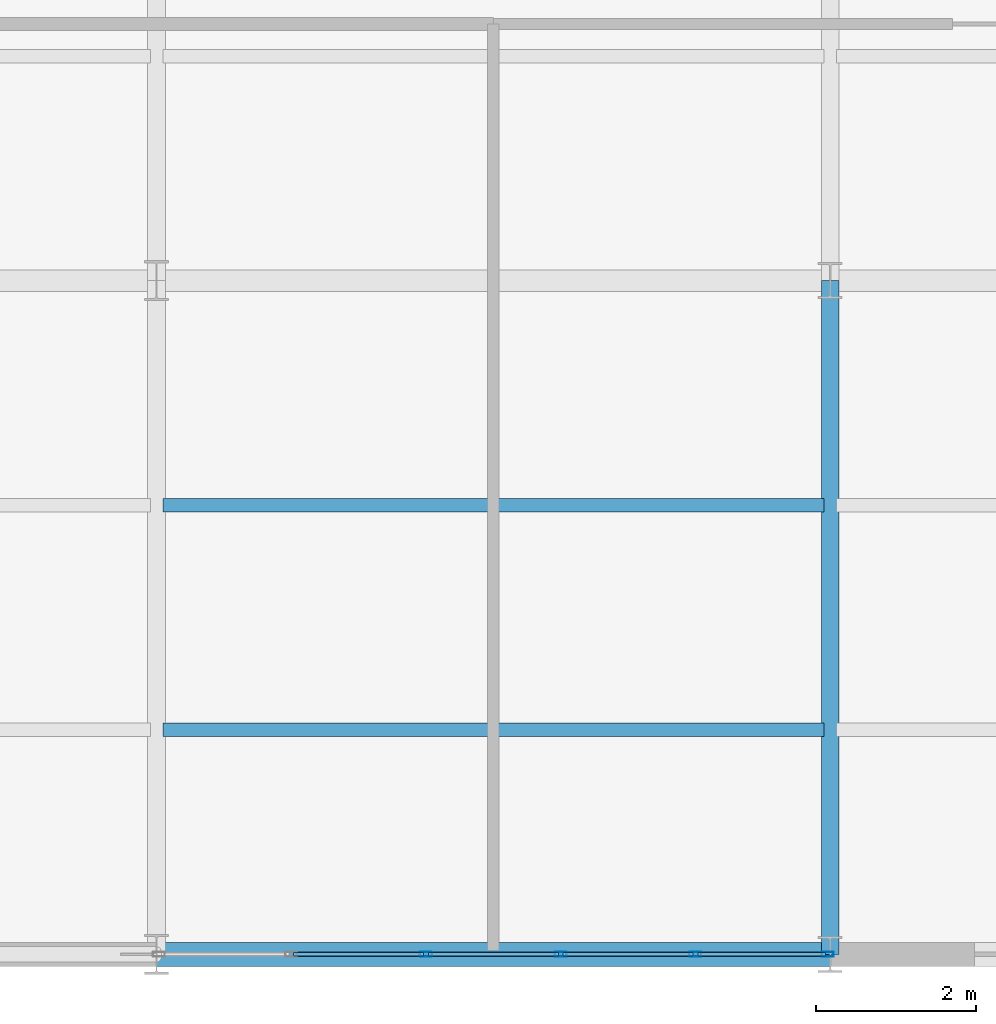
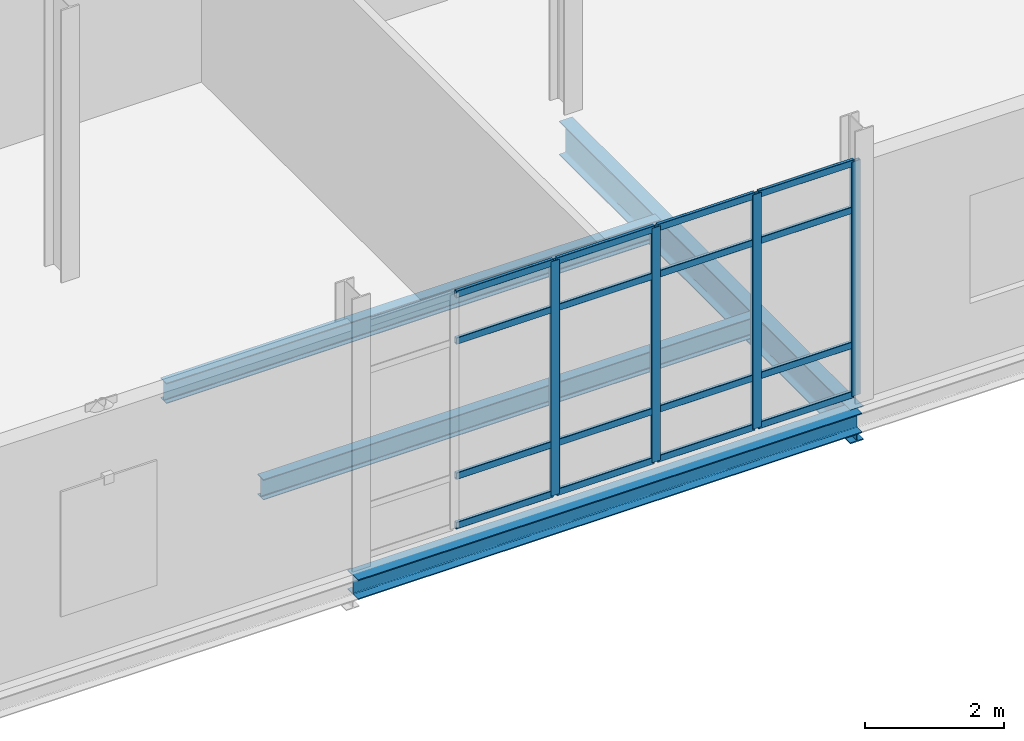
# One storey, part 97 of 145: 20 members, 4 beams, 1 element without a shape of its own.
"""IFC4 building model written with IfcOpenShell, lengths in metres."""

import ifcopenshell
import ifcopenshell.guid

model = None  # the IFC model being written
_history = None  # IfcOwnerHistory: only IFC2X3 demands one
_inside = {}  # id of a spatial element -> (the spatial element, [elements in it])
_under = {}  # id of a project, library or spatial element -> (it, [spatial elements below it])
_declared = {}  # id of a project -> (the project, [libraries it declares])
_typed = {}  # id of a type object -> (the type object, [elements of that type])
_made_of = {}  # id of a material, layer set ... -> (it, [elements and type objects made of it])


def new_model(schema):
    """Start an empty IFC model of exactly this schema.

    Asked for "IFC4X3", IfcOpenShell would pick the latest addendum, in which some entities
    have other attributes; the version numbers below select the first issue.
    IFC2X3 requires an IfcOwnerHistory on every rooted entity: one is made here for all.
    """
    global model, _history
    if schema == "IFC4X3":
        model = ifcopenshell.file(schema_version=(4, 3, 0, 0))
    else:
        model = ifcopenshell.file(schema=schema)
    _inside.clear()
    _under.clear()
    _declared.clear()
    _typed.clear()
    _made_of.clear()
    _history = None
    if model.schema == "IFC2X3":
        org = make("IfcOrganization", Name="unknown")
        user = make(
            "IfcPersonAndOrganization",
            ThePerson=make("IfcPerson", FamilyName="unknown"),
            TheOrganization=org,
        )
        app = make(
            "IfcApplication",
            ApplicationDeveloper=org,
            Version="unknown",
            ApplicationFullName="unknown",
            ApplicationIdentifier="unknown",
        )
        _history = make(
            "IfcOwnerHistory",
            OwningUser=user,
            OwningApplication=app,
            ChangeAction="ADDED",
            CreationDate=0,
        )
    return model


def make(cls, **values):
    """One entity of the class cls with the attributes given. An attribute that is None is left unset."""
    return model.create_entity(
        cls, **{name: value for name, value in values.items() if value is not None}
    )


def rooted(cls, **values):
    """An entity with a GlobalId (a new one), such as an element, a storey or a relation."""
    return make(cls, GlobalId=ifcopenshell.guid.new(), OwnerHistory=_history, **values)


def si_unit(unit_type, name, prefix=None):
    """IfcSIUnit, for example si_unit("LENGTHUNIT", "METRE", prefix="MILLI")."""
    return make("IfcSIUnit", UnitType=unit_type, Prefix=prefix, Name=name)


def assignment(units):
    """IfcUnitAssignment: the units of a project."""
    return None if units is None else make("IfcUnitAssignment", Units=units)


def point(xyz):
    """IfcCartesianPoint."""
    return None if xyz is None else make("IfcCartesianPoint", Coordinates=xyz)


def direction(xyz):
    """IfcDirection."""
    return None if xyz is None else make("IfcDirection", DirectionRatios=xyz)


def frame(location, z_axis=None, x_axis=None):
    """IfcAxis2Placement3D, a coordinate frame: its origin and axes. An axis left out is left unset."""
    return make(
        "IfcAxis2Placement3D",
        Location=point(location),
        Axis=direction(z_axis),
        RefDirection=direction(x_axis),
    )


def frame_2d(location, x_axis=None):
    """IfcAxis2Placement2D, a coordinate frame in the plane: its origin and x axis."""
    return make(
        "IfcAxis2Placement2D", Location=point(location), RefDirection=direction(x_axis)
    )


def origin():
    """The frame at (0, 0, 0) with its axes left unset."""
    return frame((0.0, 0.0, 0.0))


def origin_2d():
    """The frame at (0, 0) in the plane with its x axis left unset."""
    return frame_2d((0.0, 0.0))


def place(relative_to, where):
    """IfcLocalPlacement: puts the frame where relative to a parent placement (None: the world)."""
    return make(
        "IfcLocalPlacement", PlacementRelTo=relative_to, RelativePlacement=where
    )


def context(
    kind, dimensions, precision=None, world=None, true_north=None, identifier=None
):
    """IfcGeometricRepresentationContext, for example the 3D "Model" context."""
    return make(
        "IfcGeometricRepresentationContext",
        ContextIdentifier=identifier,
        ContextType=kind,
        CoordinateSpaceDimension=dimensions,
        Precision=precision,
        WorldCoordinateSystem=world,
        TrueNorth=true_north,
    )


def subcontext(parent, identifier, kind, view, scale=None):
    """IfcGeometricRepresentationSubContext, for example "Body" below "Model"."""
    return make(
        "IfcGeometricRepresentationSubContext",
        ContextIdentifier=identifier,
        ContextType=kind,
        ParentContext=parent,
        TargetScale=scale,
        TargetView=view,
    )


def project(units=None, contexts=None):
    """IfcProject with its units and contexts."""
    return rooted(
        "IfcProject",
        Name="project",
        RepresentationContexts=contexts,
        UnitsInContext=assignment(units),
    )


def spatial(cls, under=None, at=None, **own):
    """A site, building, storey or space (cls), placed at a placement, below another one or the project."""
    s = rooted(cls, ObjectPlacement=at, **own)
    if under is not None:
        _under.setdefault(under.id(), (under, []))[1].append(s)
    return s


def profile(cls, at=None, kind="AREA", **sizes):
    """A parametric profile (cls). Its sizes go by their IFC names, for example OverallWidth=200.0."""
    return make(cls, ProfileType=kind, Position=at, **sizes)


def hollow_rectangle(**sizes):
    """IfcRectangleHollowProfileDef."""
    return profile("IfcRectangleHollowProfileDef", **sizes)


def i_section(**sizes):
    """IfcIShapeProfileDef."""
    return profile("IfcIShapeProfileDef", **sizes)


def extrude(swept, where, along, depth):
    """IfcExtrudedAreaSolid: the profile swept, set in the frame where, extruded along a direction by depth."""
    return make(
        "IfcExtrudedAreaSolid",
        SweptArea=swept,
        Position=where,
        ExtrudedDirection=direction(along),
        Depth=depth,
    )


def shape(context_of_items, identifier, shape_type, items):
    """IfcShapeRepresentation: the items that make up one representation, for example the "Body"."""
    return make(
        "IfcShapeRepresentation",
        ContextOfItems=context_of_items,
        RepresentationIdentifier=identifier,
        RepresentationType=shape_type,
        Items=items,
    )


def material(Name=None, Category=None):
    """IfcMaterial."""
    return make("IfcMaterial", Name=Name, Category=Category)


def layer(
    of_material, thickness, ventilated=None, Name=None, Category=None, Priority=None
):
    """IfcMaterialLayer: one layer of a wall or slab, of a material (None: an air gap)."""
    return make(
        "IfcMaterialLayer",
        Material=of_material,
        LayerThickness=thickness,
        IsVentilated=ventilated,
        Name=Name,
        Category=Category,
        Priority=Priority,
    )


def layer_set(layers, Name=None):
    """IfcMaterialLayerSet."""
    return make("IfcMaterialLayerSet", MaterialLayers=layers, LayerSetName=Name)


def material_profile(
    of_material, cross_section, Name=None, Category=None, Priority=None
):
    """IfcMaterialProfile: a cross section and its material."""
    return make(
        "IfcMaterialProfile",
        Name=Name,
        Material=of_material,
        Profile=cross_section,
        Priority=Priority,
        Category=Category,
    )


def profile_set(profiles, Name=None, composite=None):
    """IfcMaterialProfileSet."""
    return make(
        "IfcMaterialProfileSet",
        Name=Name,
        MaterialProfiles=profiles,
        CompositeProfile=composite,
    )


def made_of(thing, what):
    """Note that an element or type object is made of a material, layer set ...; save() writes the relation."""
    if what is not None:
        _made_of.setdefault(what.id(), (what, []))[1].append(thing)
    return thing


def type_object(cls, material=None, **own):
    """A type object (cls), such as IfcWallType, which elements share."""
    return made_of(rooted(cls, **own), material)


def element(
    cls,
    number,
    at=None,
    inside=None,
    cuts=None,
    type_object=None,
    material=None,
    context=None,
    identifier="Body",
    shape_type=None,
    held_by="IfcProductDefinitionShape",
    body=None,
    shapes=None,
    **own,
):
    """One element of the class cls, such as IfcWall. Its Tag is "e" and its number.

    at: its placement. inside: the storey or other place that contains it. cuts: it is an
    opening in that element (IfcRelVoidsElement). A single representation is given by context,
    identifier, shape_type and body (its items); several are given by shapes. held_by: the class
    of the entity that holds the representations. save() writes the other relations.
    """
    e = rooted(cls, Tag="e%d" % number, ObjectPlacement=at, **own)
    if body is not None:
        shapes = [shape(context, identifier, shape_type, body)]
    if shapes is not None:
        e.Representation = make(held_by, Representations=shapes)
    if inside is not None:
        _inside.setdefault(inside.id(), (inside, []))[1].append(e)
    if cuts is not None:
        rooted(
            "IfcRelVoidsElement", RelatingBuildingElement=cuts, RelatedOpeningElement=e
        )
    if type_object is not None:
        _typed.setdefault(type_object.id(), (type_object, []))[1].append(e)
    return made_of(e, material)


def aggregate(whole, parts):
    """IfcRelAggregates: a whole, such as a stair, and the parts it consists of."""
    return rooted("IfcRelAggregates", RelatingObject=whole, RelatedObjects=parts)


def save(model, path):
    """Write the relations noted so far, then the file.

    IfcRelAggregates (storeys below a building ...), IfcRelContainedInSpatialStructure (elements
    in a storey), IfcRelDefinesByType, IfcRelAssociatesMaterial and IfcRelDeclares: one each for
    every whole, place, type object, material and project.
    """
    for whole, parts in _under.values():
        aggregate(whole, parts)
    for where, things in _inside.values():
        rooted(
            "IfcRelContainedInSpatialStructure",
            RelatedElements=things,
            RelatingStructure=where,
        )
    for kind, things in _typed.values():
        rooted("IfcRelDefinesByType", RelatedObjects=things, RelatingType=kind)
    for what, things in _made_of.values():
        rooted("IfcRelAssociatesMaterial", RelatedObjects=things, RelatingMaterial=what)
    for by, libraries in _declared.values():
        rooted("IfcRelDeclares", RelatingContext=by, RelatedDefinitions=libraries)
    model.write(path)


model = new_model("IFC4")

# Units and contexts
model_context = context("Model", 3, precision=1e-05, world=origin(), true_north=direction((0.0, 1.0)))
body_context = subcontext(model_context, "Body", "Model", "MODEL_VIEW")
ifc_project = project(units=[si_unit("LENGTHUNIT", "METRE"), si_unit("AREAUNIT", "SQUARE_METRE"), si_unit("VOLUMEUNIT", "CUBIC_METRE"), si_unit("PLANEANGLEUNIT", "RADIAN"), si_unit("MASSUNIT", "GRAM", prefix="KILO")], contexts=[model_context])

# Site, building, storey
site_placement = place(None, origin())
site = spatial("IfcSite", under=ifc_project, at=site_placement, CompositionType="ELEMENT")
building_placement = place(site_placement, origin())
building = spatial("IfcBuilding", under=site, at=building_placement, Name="Qalvenar Corner Mobility Hub", CompositionType="ELEMENT")
storey_placement = place(building_placement, origin())
storey = spatial("IfcBuildingStorey", under=building, at=storey_placement, Name="L00", CompositionType="ELEMENT", Elevation=0.0)

# Beams
ifc_material_1 = material(Name="Steel S355", Category="steel")
ifc_material_profile_1 = material_profile(ifc_material_1, i_section(OverallWidth=0.219970703125, OverallDepth=0.60009765625, WebThickness=0.011962890625, FlangeThickness=0.01904296875, FilletRadius=0.02392578125, at=origin_2d()), Name="IPE600")
ifc_profile_set_1 = profile_set([ifc_material_profile_1], Name="Steel S355")
beam_type_1 = type_object("IfcBeamType", Name="BM-IPE600", PredefinedType="BEAM", material=ifc_profile_set_1)
beam_1_placement = place(storey_placement, frame((159.60009765625, 0.0, -0.550048828125), z_axis=(0.0, 1.0, 0.0), x_axis=(-1.0, 0.0, 0.0)))
element("IfcBeam", 1, at=beam_1_placement, inside=storey, type_object=beam_type_1, Name="Primary Steel Girder GY-0329", PredefinedType="BEAM", context=body_context, shape_type="SweptSolid", body=[
    extrude(i_section(OverallWidth=0.219970703125, OverallDepth=0.60009765625, WebThickness=0.011962890625, FlangeThickness=0.01904296875, FilletRadius=0.02392578125, at=origin_2d()), origin(), (0.0, 0.0, 1.0), 8.39990234375),
])
ifc_material_profile_2 = material_profile(ifc_material_1, i_section(OverallWidth=0.169921875, OverallDepth=0.360107421875, WebThickness=0.008056640625, FlangeThickness=0.0126953125, FilletRadius=0.01806640625, at=origin_2d()), Name="IPE360")
ifc_profile_set_2 = profile_set([ifc_material_profile_2], Name="Steel S355")
beam_type_2 = type_object("IfcBeamType", Name="BM-JST360", PredefinedType="JOIST", material=ifc_profile_set_2)
for number, where, z_axis, x_axis, name in (
    (2, (151.278076171875, 2.800048828125, -0.429931640625), (1.0, 0.0, 0.0), (0.0, 1.0, 0.0), "Composite Floor Joist J-0399"),
    (3, (151.278076171875, 5.60009765625, -0.429931640625), (1.0, 0.0, 0.0), (0.0, 1.0, 0.0), "Composite Floor Joist J-0400"),
):
    element("IfcBeam", number, at=place(storey_placement, frame(where, z_axis=z_axis, x_axis=x_axis)), inside=storey, type_object=beam_type_2, Name=name, PredefinedType="JOIST", context=body_context, shape_type="SweptSolid", body=[
        extrude(i_section(OverallWidth=0.169921875, OverallDepth=0.360107421875, WebThickness=0.008056640625, FlangeThickness=0.0126953125, FilletRadius=0.01806640625, at=origin_2d()), origin(), (0.0, 0.0, 1.0), 8.243896484375),
    ])
ifc_material_profile_3 = material_profile(ifc_material_1, i_section(OverallWidth=0.300048828125, OverallDepth=0.35009765625, WebThickness=0.010009765625, FlangeThickness=0.017578125, FilletRadius=0.027099609375, at=origin_2d()), Name="HEA360")
ifc_profile_set_3 = profile_set([ifc_material_profile_3], Name="Steel S355")
beam_type_3 = type_object("IfcBeamType", Name="BM-SPN360", PredefinedType="SPANDREL", material=ifc_profile_set_3)
beam_2_placement = place(storey_placement, frame((151.199951171875, 0.0, -0.425048828125), z_axis=(1.0, 0.0, 0.0), x_axis=(0.0, 1.0, 0.0)))
element("IfcBeam", 4, at=beam_2_placement, inside=storey, type_object=beam_type_3, Name="Primary Steel Girder GX-0253", PredefinedType="SPANDREL", context=body_context, shape_type="SweptSolid", body=[
    extrude(i_section(OverallWidth=0.300048828125, OverallDepth=0.35009765625, WebThickness=0.010009765625, FlangeThickness=0.017578125, FilletRadius=0.027099609375, at=origin_2d()), origin(), (0.0, 0.0, 1.0), 8.400146484375),
])

# Curtain wall, members
ifc_material_2 = material(Name="Anodised Aluminium and Low-E Glazing", Category="aluminium")
ifc_layer = layer(ifc_material_2, 0.14990234375)
ifc_layer_set = layer_set([ifc_layer], Name="Anodised Aluminium and Low-E Glazing")
curtain_wall_type = type_object("IfcCurtainWallType", Name="CW-WKS-84X44", PredefinedType="NOTDEFINED", material=ifc_layer_set)
curtain_wall_placement = place(storey_placement, origin())
curtain_wall = element("IfcCurtainWall", 5, at=curtain_wall_placement, inside=storey, type_object=curtain_wall_type, Name="Glazed Curtain Wall CW-V6-L00-S5", PredefinedType="NOTDEFINED")
ifc_material_3 = material(Name="Anodised Aluminium 6063-T6", Category="aluminium")
ifc_material_profile_4 = material_profile(ifc_material_3, hollow_rectangle(XDim=0.06005859375, YDim=0.14990234375, WallThickness=0.00390625, InnerFilletRadius=0.00390625, OuterFilletRadius=0.008056640625, at=origin_2d()), Name="RHS150x60x4")
ifc_profile_set_4 = profile_set([ifc_material_profile_4], Name="Anodised Aluminium 6063-T6")
member_type_1 = type_object("IfcMemberType", Name="CW-MUL150", PredefinedType="MULLION", material=ifc_profile_set_4)
member_1_placement = place(storey_placement, frame((154.56005859375, 0.0, 0.0), z_axis=(0.0, 0.0, 1.0), x_axis=(0.0, 1.0, 0.0)))
member_1 = element("IfcMember", 6, at=member_1_placement, type_object=member_type_1, Name="CW-09 mullion 3", PredefinedType="MULLION", context=body_context, shape_type="SweptSolid", body=[
    extrude(hollow_rectangle(XDim=0.06005859375, YDim=0.14990234375, WallThickness=0.00390625, InnerFilletRadius=0.00390625, OuterFilletRadius=0.008056640625, at=origin_2d()), origin(), (0.0, 0.0, 1.0), 4.1298828125),
])
member_2_placement = place(storey_placement, frame((156.239990234375, 0.0, 0.0), z_axis=(0.0, 0.0, 1.0), x_axis=(0.0, 1.0, 0.0)))
member_2 = element("IfcMember", 7, at=member_2_placement, type_object=member_type_1, Name="CW-09 mullion 4", PredefinedType="MULLION", context=body_context, shape_type="SweptSolid", body=[
    extrude(hollow_rectangle(XDim=0.06005859375, YDim=0.14990234375, WallThickness=0.00390625, InnerFilletRadius=0.00390625, OuterFilletRadius=0.008056640625, at=origin_2d()), origin(), (0.0, 0.0, 1.0), 4.1298828125),
])
member_3_placement = place(storey_placement, frame((157.919921875, 0.0, 0.0), z_axis=(0.0, 0.0, 1.0), x_axis=(0.0, 1.0, 0.0)))
member_3 = element("IfcMember", 8, at=member_3_placement, type_object=member_type_1, Name="CW-09 mullion 5", PredefinedType="MULLION", context=body_context, shape_type="SweptSolid", body=[
    extrude(hollow_rectangle(XDim=0.06005859375, YDim=0.14990234375, WallThickness=0.00390625, InnerFilletRadius=0.00390625, OuterFilletRadius=0.008056640625, at=origin_2d()), origin(), (0.0, 0.0, 1.0), 4.1298828125),
])
member_4_placement = place(storey_placement, frame((159.570068359375, 0.0, 0.0), z_axis=(0.0, 0.0, 1.0), x_axis=(0.0, 1.0, 0.0)))
member_4 = element("IfcMember", 9, at=member_4_placement, type_object=member_type_1, Name="CW-09 mullion 6", PredefinedType="MULLION", context=body_context, shape_type="SweptSolid", body=[
    extrude(hollow_rectangle(XDim=0.06005859375, YDim=0.14990234375, WallThickness=0.00390625, InnerFilletRadius=0.00390625, OuterFilletRadius=0.008056640625, at=origin_2d()), origin(), (0.0, 0.0, 1.0), 4.1298828125),
])
ifc_material_profile_5 = material_profile(ifc_material_3, hollow_rectangle(XDim=0.054931640625, YDim=0.1201171875, WallThickness=0.00341796875, InnerFilletRadius=0.00341796875, OuterFilletRadius=0.007080078125, at=origin_2d()), Name="RHS120x55x3.5")
ifc_profile_set_5 = profile_set([ifc_material_profile_5], Name="Anodised Aluminium 6063-T6")
member_type_2 = type_object("IfcMemberType", Name="CW-TRN120", PredefinedType="USERDEFINED", material=ifc_profile_set_5)
member_5_placement = place(storey_placement, frame((152.909912109375, 0.0, 0.027587890625), z_axis=(1.0, 0.0, 0.0), x_axis=(0.0, 1.0, 0.0)))
member_5 = element("IfcMember", 10, at=member_5_placement, type_object=member_type_2, Name="CW-09 transom 2.1", ObjectType="TRANSOM", PredefinedType="USERDEFINED", context=body_context, shape_type="SweptSolid", body=[
    extrude(hollow_rectangle(XDim=0.054931640625, YDim=0.1201171875, WallThickness=0.00341796875, InnerFilletRadius=0.00341796875, OuterFilletRadius=0.007080078125, at=origin_2d()), origin(), (0.0, 0.0, 1.0), 1.6201171875),
])
member_6_placement = place(storey_placement, frame((152.909912109375, 0.0, 0.89990234375), z_axis=(1.0, 0.0, 0.0), x_axis=(0.0, 1.0, 0.0)))
member_6 = element("IfcMember", 11, at=member_6_placement, type_object=member_type_2, Name="CW-09 transom 2.2", ObjectType="TRANSOM", PredefinedType="USERDEFINED", context=body_context, shape_type="SweptSolid", body=[
    extrude(hollow_rectangle(XDim=0.054931640625, YDim=0.1201171875, WallThickness=0.00341796875, InnerFilletRadius=0.00341796875, OuterFilletRadius=0.007080078125, at=origin_2d()), origin(), (0.0, 0.0, 1.0), 1.6201171875),
])
member_7_placement = place(storey_placement, frame((152.909912109375, 0.0, 3.280029296875), z_axis=(1.0, 0.0, 0.0), x_axis=(0.0, 1.0, 0.0)))
member_7 = element("IfcMember", 12, at=member_7_placement, type_object=member_type_2, Name="CW-09 transom 2.3", ObjectType="TRANSOM", PredefinedType="USERDEFINED", context=body_context, shape_type="SweptSolid", body=[
    extrude(hollow_rectangle(XDim=0.054931640625, YDim=0.1201171875, WallThickness=0.00341796875, InnerFilletRadius=0.00341796875, OuterFilletRadius=0.007080078125, at=origin_2d()), origin(), (0.0, 0.0, 1.0), 1.6201171875),
])
member_8_placement = place(storey_placement, frame((152.909912109375, 0.0, 4.1025390625), z_axis=(1.0, 0.0, 0.0), x_axis=(0.0, 1.0, 0.0)))
member_8 = element("IfcMember", 13, at=member_8_placement, type_object=member_type_2, Name="CW-09 transom 2.4", ObjectType="TRANSOM", PredefinedType="USERDEFINED", context=body_context, shape_type="SweptSolid", body=[
    extrude(hollow_rectangle(XDim=0.054931640625, YDim=0.1201171875, WallThickness=0.00341796875, InnerFilletRadius=0.00341796875, OuterFilletRadius=0.007080078125, at=origin_2d()), origin(), (0.0, 0.0, 1.0), 1.6201171875),
])
member_9_placement = place(storey_placement, frame((154.590087890625, 0.0, 0.027587890625), z_axis=(1.0, 0.0, 0.0), x_axis=(0.0, 1.0, 0.0)))
member_9 = element("IfcMember", 14, at=member_9_placement, type_object=member_type_2, Name="CW-09 transom 3.1", ObjectType="TRANSOM", PredefinedType="USERDEFINED", context=body_context, shape_type="SweptSolid", body=[
    extrude(hollow_rectangle(XDim=0.054931640625, YDim=0.1201171875, WallThickness=0.00341796875, InnerFilletRadius=0.00341796875, OuterFilletRadius=0.007080078125, at=origin_2d()), origin(), (0.0, 0.0, 1.0), 1.619873046875),
])
member_10_placement = place(storey_placement, frame((154.590087890625, 0.0, 0.89990234375), z_axis=(1.0, 0.0, 0.0), x_axis=(0.0, 1.0, 0.0)))
member_10 = element("IfcMember", 15, at=member_10_placement, type_object=member_type_2, Name="CW-09 transom 3.2", ObjectType="TRANSOM", PredefinedType="USERDEFINED", context=body_context, shape_type="SweptSolid", body=[
    extrude(hollow_rectangle(XDim=0.054931640625, YDim=0.1201171875, WallThickness=0.00341796875, InnerFilletRadius=0.00341796875, OuterFilletRadius=0.007080078125, at=origin_2d()), origin(), (0.0, 0.0, 1.0), 1.619873046875),
])
member_11_placement = place(storey_placement, frame((154.590087890625, 0.0, 3.280029296875), z_axis=(1.0, 0.0, 0.0), x_axis=(0.0, 1.0, 0.0)))
member_11 = element("IfcMember", 16, at=member_11_placement, type_object=member_type_2, Name="CW-09 transom 3.3", ObjectType="TRANSOM", PredefinedType="USERDEFINED", context=body_context, shape_type="SweptSolid", body=[
    extrude(hollow_rectangle(XDim=0.054931640625, YDim=0.1201171875, WallThickness=0.00341796875, InnerFilletRadius=0.00341796875, OuterFilletRadius=0.007080078125, at=origin_2d()), origin(), (0.0, 0.0, 1.0), 1.619873046875),
])
member_12_placement = place(storey_placement, frame((154.590087890625, 0.0, 4.1025390625), z_axis=(1.0, 0.0, 0.0), x_axis=(0.0, 1.0, 0.0)))
member_12 = element("IfcMember", 17, at=member_12_placement, type_object=member_type_2, Name="CW-09 transom 3.4", ObjectType="TRANSOM", PredefinedType="USERDEFINED", context=body_context, shape_type="SweptSolid", body=[
    extrude(hollow_rectangle(XDim=0.054931640625, YDim=0.1201171875, WallThickness=0.00341796875, InnerFilletRadius=0.00341796875, OuterFilletRadius=0.007080078125, at=origin_2d()), origin(), (0.0, 0.0, 1.0), 1.619873046875),
])
member_13_placement = place(storey_placement, frame((156.27001953125, 0.0, 0.027587890625), z_axis=(1.0, 0.0, 0.0), x_axis=(0.0, 1.0, 0.0)))
member_13 = element("IfcMember", 18, at=member_13_placement, type_object=member_type_2, Name="CW-09 transom 4.1", ObjectType="TRANSOM", PredefinedType="USERDEFINED", context=body_context, shape_type="SweptSolid", body=[
    extrude(hollow_rectangle(XDim=0.054931640625, YDim=0.1201171875, WallThickness=0.00341796875, InnerFilletRadius=0.00341796875, OuterFilletRadius=0.007080078125, at=origin_2d()), origin(), (0.0, 0.0, 1.0), 1.619873046875),
])
member_14_placement = place(storey_placement, frame((156.27001953125, 0.0, 0.89990234375), z_axis=(1.0, 0.0, 0.0), x_axis=(0.0, 1.0, 0.0)))
member_14 = element("IfcMember", 19, at=member_14_placement, type_object=member_type_2, Name="CW-09 transom 4.2", ObjectType="TRANSOM", PredefinedType="USERDEFINED", context=body_context, shape_type="SweptSolid", body=[
    extrude(hollow_rectangle(XDim=0.054931640625, YDim=0.1201171875, WallThickness=0.00341796875, InnerFilletRadius=0.00341796875, OuterFilletRadius=0.007080078125, at=origin_2d()), origin(), (0.0, 0.0, 1.0), 1.619873046875),
])
member_15_placement = place(storey_placement, frame((156.27001953125, 0.0, 3.280029296875), z_axis=(1.0, 0.0, 0.0), x_axis=(0.0, 1.0, 0.0)))
member_15 = element("IfcMember", 20, at=member_15_placement, type_object=member_type_2, Name="CW-09 transom 4.3", ObjectType="TRANSOM", PredefinedType="USERDEFINED", context=body_context, shape_type="SweptSolid", body=[
    extrude(hollow_rectangle(XDim=0.054931640625, YDim=0.1201171875, WallThickness=0.00341796875, InnerFilletRadius=0.00341796875, OuterFilletRadius=0.007080078125, at=origin_2d()), origin(), (0.0, 0.0, 1.0), 1.619873046875),
])
member_16_placement = place(storey_placement, frame((156.27001953125, 0.0, 4.1025390625), z_axis=(1.0, 0.0, 0.0), x_axis=(0.0, 1.0, 0.0)))
member_16 = element("IfcMember", 21, at=member_16_placement, type_object=member_type_2, Name="CW-09 transom 4.4", ObjectType="TRANSOM", PredefinedType="USERDEFINED", context=body_context, shape_type="SweptSolid", body=[
    extrude(hollow_rectangle(XDim=0.054931640625, YDim=0.1201171875, WallThickness=0.00341796875, InnerFilletRadius=0.00341796875, OuterFilletRadius=0.007080078125, at=origin_2d()), origin(), (0.0, 0.0, 1.0), 1.619873046875),
])
member_17_placement = place(storey_placement, frame((157.949951171875, 0.0, 0.027587890625), z_axis=(1.0, 0.0, 0.0), x_axis=(0.0, 1.0, 0.0)))
member_17 = element("IfcMember", 22, at=member_17_placement, type_object=member_type_2, Name="CW-09 transom 5.1", ObjectType="TRANSOM", PredefinedType="USERDEFINED", context=body_context, shape_type="SweptSolid", body=[
    extrude(hollow_rectangle(XDim=0.054931640625, YDim=0.1201171875, WallThickness=0.00341796875, InnerFilletRadius=0.00341796875, OuterFilletRadius=0.007080078125, at=origin_2d()), origin(), (0.0, 0.0, 1.0), 1.590087890625),
])
member_18_placement = place(storey_placement, frame((157.949951171875, 0.0, 0.89990234375), z_axis=(1.0, 0.0, 0.0), x_axis=(0.0, 1.0, 0.0)))
member_18 = element("IfcMember", 23, at=member_18_placement, type_object=member_type_2, Name="CW-09 transom 5.2", ObjectType="TRANSOM", PredefinedType="USERDEFINED", context=body_context, shape_type="SweptSolid", body=[
    extrude(hollow_rectangle(XDim=0.054931640625, YDim=0.1201171875, WallThickness=0.00341796875, InnerFilletRadius=0.00341796875, OuterFilletRadius=0.007080078125, at=origin_2d()), origin(), (0.0, 0.0, 1.0), 1.590087890625),
])
member_19_placement = place(storey_placement, frame((157.949951171875, 0.0, 3.280029296875), z_axis=(1.0, 0.0, 0.0), x_axis=(0.0, 1.0, 0.0)))
member_19 = element("IfcMember", 24, at=member_19_placement, type_object=member_type_2, Name="CW-09 transom 5.3", ObjectType="TRANSOM", PredefinedType="USERDEFINED", context=body_context, shape_type="SweptSolid", body=[
    extrude(hollow_rectangle(XDim=0.054931640625, YDim=0.1201171875, WallThickness=0.00341796875, InnerFilletRadius=0.00341796875, OuterFilletRadius=0.007080078125, at=origin_2d()), origin(), (0.0, 0.0, 1.0), 1.590087890625),
])
member_20_placement = place(storey_placement, frame((157.949951171875, 0.0, 4.1025390625), z_axis=(1.0, 0.0, 0.0), x_axis=(0.0, 1.0, 0.0)))
member_20 = element("IfcMember", 25, at=member_20_placement, type_object=member_type_2, Name="CW-09 transom 5.4", ObjectType="TRANSOM", PredefinedType="USERDEFINED", context=body_context, shape_type="SweptSolid", body=[
    extrude(hollow_rectangle(XDim=0.054931640625, YDim=0.1201171875, WallThickness=0.00341796875, InnerFilletRadius=0.00341796875, OuterFilletRadius=0.007080078125, at=origin_2d()), origin(), (0.0, 0.0, 1.0), 1.590087890625),
])
aggregate(curtain_wall, [member_1, member_2, member_3, member_4, member_5, member_6, member_7, member_8, member_9, member_10, member_11, member_12, member_13, member_14, member_15, member_16, member_17, member_18, member_19, member_20])

save(model, "model.ifc")
